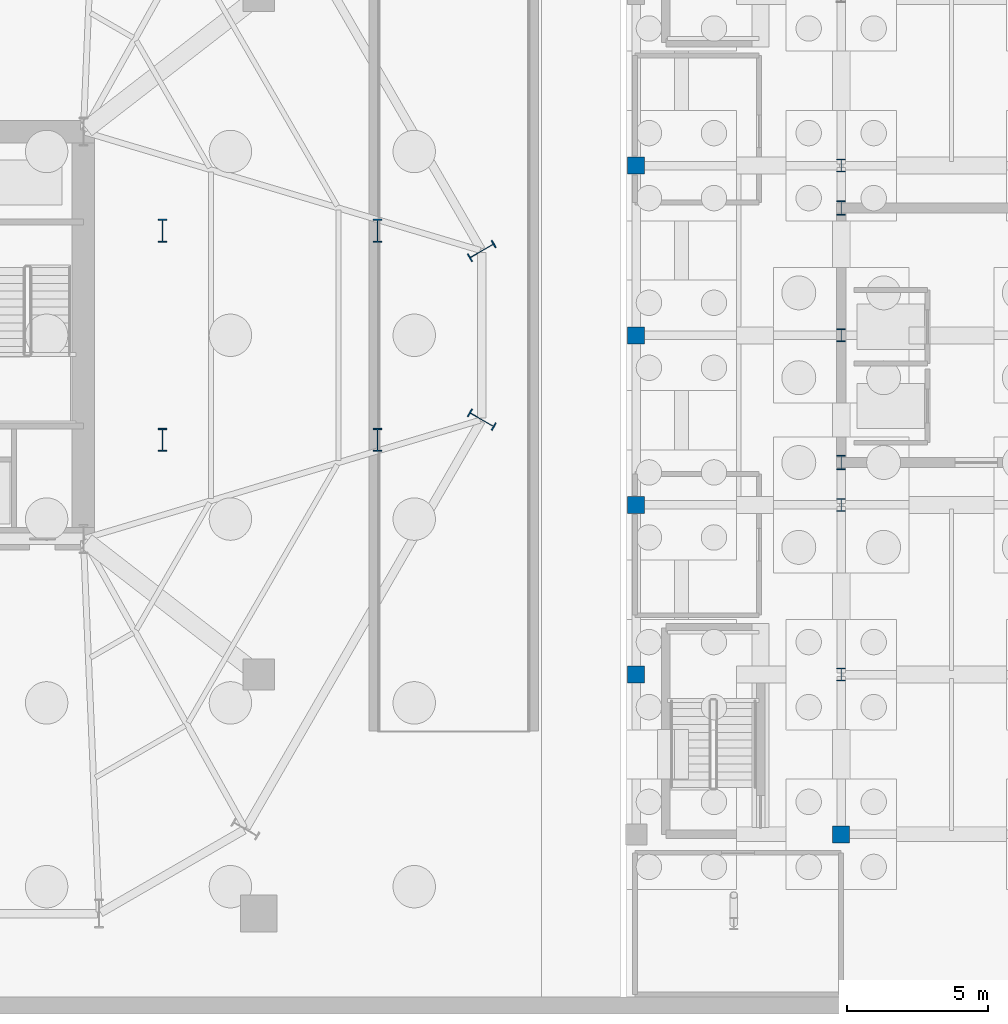
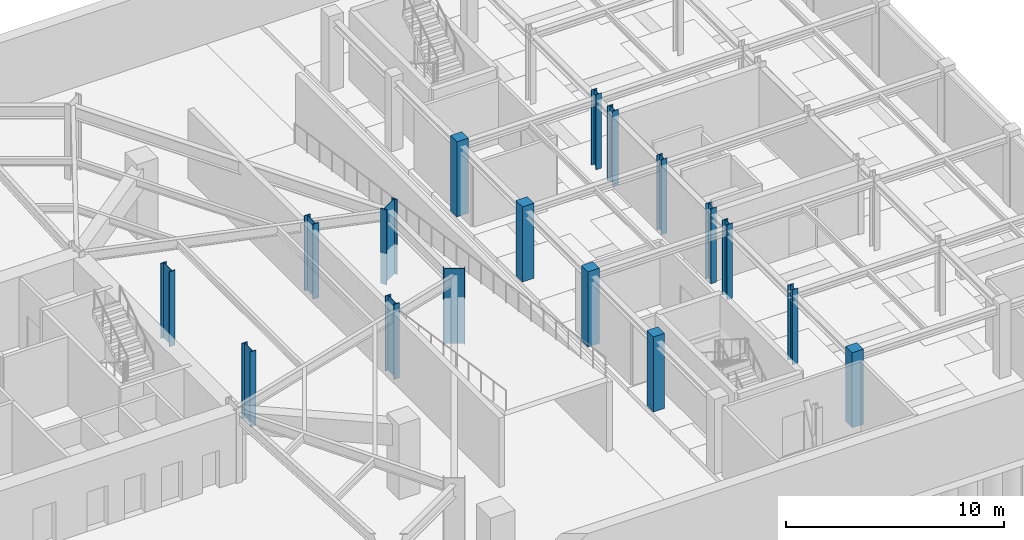
# One storey, part 5 of 18: 17 columns.
"""IFC4 building model written with IfcOpenShell, lengths in metres."""

from ifc_helpers import new_model, si_unit, direction, frame, origin, origin_2d, place, context, subcontext, project, spatial, rectangle, i_section, extrude, material, material_profile, profile_set, type_object, element, save


model = new_model("IFC4")

# Units and contexts
model_context = context("Model", 3, precision=1e-05, world=origin(), true_north=direction((0.0, 1.0)))
body_context = subcontext(model_context, "Body", "Model", "MODEL_VIEW")
ifc_project = project(units=[si_unit("LENGTHUNIT", "METRE"), si_unit("AREAUNIT", "SQUARE_METRE"), si_unit("VOLUMEUNIT", "CUBIC_METRE"), si_unit("PLANEANGLEUNIT", "RADIAN"), si_unit("MASSUNIT", "GRAM", prefix="KILO")], contexts=[model_context])

# Site, building, storey
site_placement = place(None, origin())
site = spatial("IfcSite", under=ifc_project, at=site_placement, CompositionType="ELEMENT")
building_placement = place(site_placement, origin())
building = spatial("IfcBuilding", under=site, at=building_placement, Name="Kranzbogen Civic Tower", CompositionType="ELEMENT")
storey_placement = place(building_placement, frame((0.0, 0.0, -8.39990234375)))
storey = spatial("IfcBuildingStorey", under=building, at=storey_placement, Name="B02", CompositionType="ELEMENT", Elevation=-8.39990234375)

# Columns
ifc_material_1 = material(Name="Steel S355", Category="steel")
ifc_material_profile_1 = material_profile(ifc_material_1, i_section(OverallWidth=0.300048828125, OverallDepth=0.449951171875, WebThickness=0.013916015625, FlangeThickness=0.02587890625, at=origin_2d()), Name="HEB 450")
ifc_profile_set_1 = profile_set([ifc_material_profile_1], Name="Steel S355")
column_type_1 = type_object("IfcColumnType", Name="Structural Column HEB 450", PredefinedType="COLUMN", material=ifc_profile_set_1)
for number, where, z_axis, x_axis, name in (
    (1, (59.60009765625, 13.0, 0.0), (0.0, 0.0, 1.0), (1.0, 0.0, 0.0), "B02 Health Centre column 11/C"),
    (2, (59.60009765625, 19.0, 0.0), (0.0, 0.0, 1.0), (1.0, 0.0, 0.0), "B02 Health Centre column 11/D"),
    (3, (59.60009765625, 25.0, 0.0), (0.0, 0.0, 1.0), (1.0, 0.0, 0.0), "B02 Health Centre column 11/E"),
    (4, (59.60009765625, 31.0, 0.0), (0.0, 0.0, 1.0), (1.0, 0.0, 0.0), "B02 Health Centre column 11/F"),
):
    element("IfcColumn", number, at=place(storey_placement, frame(where, z_axis=z_axis, x_axis=x_axis)), inside=storey, type_object=column_type_1, Name=name, PredefinedType="COLUMN", context=body_context, shape_type="SweptSolid", body=[
        extrude(i_section(OverallWidth=0.300048828125, OverallDepth=0.449951171875, WebThickness=0.013916015625, FlangeThickness=0.02587890625, at=origin_2d()), origin(), (0.0, 0.0, 1.0), 4.199951171875),
    ])
ifc_material_profile_2 = material_profile(ifc_material_1, i_section(OverallWidth=0.300048828125, OverallDepth=0.5, WebThickness=0.014404296875, FlangeThickness=0.028076171875, at=origin_2d()), Name="HEB 500")
ifc_profile_set_2 = profile_set([ifc_material_profile_2], Name="Steel S355")
column_type_2 = type_object("IfcColumnType", Name="Structural Column HEB 500", PredefinedType="COLUMN", material=ifc_profile_set_2)
for number, where, z_axis, x_axis, name in (
    (5, (59.60009765625, 20.5, 0.0), (0.0, 0.0, 1.0), (1.0, 0.0, 0.0), "B02 Health Centre core corner column 1"),
    (6, (59.60009765625, 29.5, 0.0), (0.0, 0.0, 1.0), (1.0, 0.0, 0.0), "B02 Health Centre core corner column 4"),
):
    element("IfcColumn", number, at=place(storey_placement, frame(where, z_axis=z_axis, x_axis=x_axis)), inside=storey, type_object=column_type_2, Name=name, PredefinedType="COLUMN", context=body_context, shape_type="SweptSolid", body=[
        extrude(i_section(OverallWidth=0.300048828125, OverallDepth=0.5, WebThickness=0.014404296875, FlangeThickness=0.028076171875, at=origin_2d()), origin(), (0.0, 0.0, 1.0), 4.199951171875),
    ])
ifc_material_2 = material(Name="Steel S460", Category="steel")
ifc_material_profile_3 = material_profile(ifc_material_2, i_section(OverallWidth=0.302001953125, OverallDepth=1.008056640625, WebThickness=0.02099609375, FlangeThickness=0.0400390625, at=origin_2d()), Name="HEM 1000")
ifc_profile_set_3 = profile_set([ifc_material_profile_3], Name="Steel S460")
column_type_3 = type_object("IfcColumnType", Name="Structural Column HEM 1000", PredefinedType="COLUMN", material=ifc_profile_set_3)
for number, where, z_axis, x_axis, name in (
    (7, (46.889892578125, 27.986083984375, 0.0), (0.0, 0.0, 1.0), (-0.5, 0.866025403784, 0.0), "B02 tower perimeter tube column 01"),
    (8, (46.889892578125, 22.013916015625, 0.0), (0.0, 0.0, 1.0), (0.5, 0.866025403784, 0.0), "B02 tower perimeter tube column 12"),
):
    element("IfcColumn", number, at=place(storey_placement, frame(where, z_axis=z_axis, x_axis=x_axis)), inside=storey, type_object=column_type_3, Name=name, PredefinedType="COLUMN", context=body_context, shape_type="SweptSolid", body=[
        extrude(i_section(OverallWidth=0.302001953125, OverallDepth=1.008056640625, WebThickness=0.02099609375, FlangeThickness=0.0400390625, at=origin_2d()), origin(), (0.0, 0.0, 1.0), 4.199951171875),
    ])
ifc_material_profile_4 = material_profile(ifc_material_2, i_section(OverallWidth=0.302978515625, OverallDepth=0.81396484375, WebThickness=0.02099609375, FlangeThickness=0.0400390625, at=origin_2d()), Name="HEM 800")
ifc_profile_set_4 = profile_set([ifc_material_profile_4], Name="Steel S460")
column_type_4 = type_object("IfcColumnType", Name="Structural Column HEM 800", PredefinedType="COLUMN", material=ifc_profile_set_4)
for number, where, z_axis, x_axis, name in (
    (9, (35.60009765625, 21.300048828125, 0.0), (0.0, 0.0, 1.0), (1.0, 0.0, 0.0), "B02 STP2 inner support column 1"),
    (10, (43.199951171875, 21.300048828125, 0.0), (0.0, 0.0, 1.0), (1.0, 0.0, 0.0), "B02 STP2 outer support column 1"),
    (11, (35.60009765625, 28.699951171875, 0.0), (0.0, 0.0, 1.0), (1.0, 0.0, 0.0), "B02 STP2 inner support column 2"),
    (12, (43.199951171875, 28.699951171875, 0.0), (0.0, 0.0, 1.0), (1.0, 0.0, 0.0), "B02 STP2 outer support column 2"),
):
    element("IfcColumn", number, at=place(storey_placement, frame(where, z_axis=z_axis, x_axis=x_axis)), inside=storey, type_object=column_type_4, Name=name, PredefinedType="COLUMN", context=body_context, shape_type="SweptSolid", body=[
        extrude(i_section(OverallWidth=0.302978515625, OverallDepth=0.81396484375, WebThickness=0.02099609375, FlangeThickness=0.0400390625, at=origin_2d()), origin(), (0.0, 0.0, 1.0), 4.199951171875),
    ])
ifc_material_3 = material(Name="Concrete C40/50", Category="concrete")
ifc_material_profile_5 = material_profile(ifc_material_3, rectangle(XDim=0.60009765625, YDim=0.60009765625, at=origin_2d()), Name="RC 600x600")
ifc_profile_set_5 = profile_set([ifc_material_profile_5], Name="Concrete C40/50")
column_type_5 = type_object("IfcColumnType", Name="Structural Column RC 600x600", PredefinedType="COLUMN", material=ifc_profile_set_5)
for number, where, z_axis, x_axis, name in (
    (13, (52.35009765625, 13.0, 0.0), (0.0, 0.0, 1.0), (1.0, 0.0, 0.0), "B02 Health Centre column 10/C"),
    (14, (52.35009765625, 19.0, 0.0), (0.0, 0.0, 1.0), (1.0, 0.0, 0.0), "B02 Health Centre column 10/D"),
    (15, (52.35009765625, 25.0, 0.0), (0.0, 0.0, 1.0), (1.0, 0.0, 0.0), "B02 Health Centre column 10/E"),
    (16, (52.35009765625, 31.0, 0.0), (0.0, 0.0, 1.0), (1.0, 0.0, 0.0), "B02 Health Centre column 10/F"),
    (17, (59.60009765625, 7.35009765625, 0.0), (0.0, 0.0, 1.0), (1.0, 0.0, 0.0), "B02 Health Centre column 11/B"),
):
    element("IfcColumn", number, at=place(storey_placement, frame(where, z_axis=z_axis, x_axis=x_axis)), inside=storey, type_object=column_type_5, Name=name, PredefinedType="COLUMN", context=body_context, shape_type="SweptSolid", body=[
        extrude(rectangle(XDim=0.60009765625, YDim=0.60009765625, at=origin_2d()), origin(), (0.0, 0.0, 1.0), 4.199951171875),
    ])

save(model, "model.ifc")
